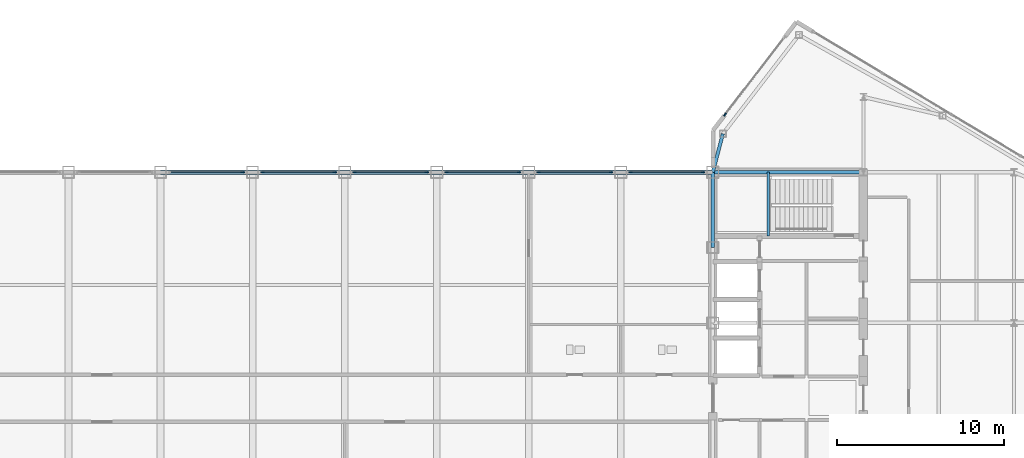
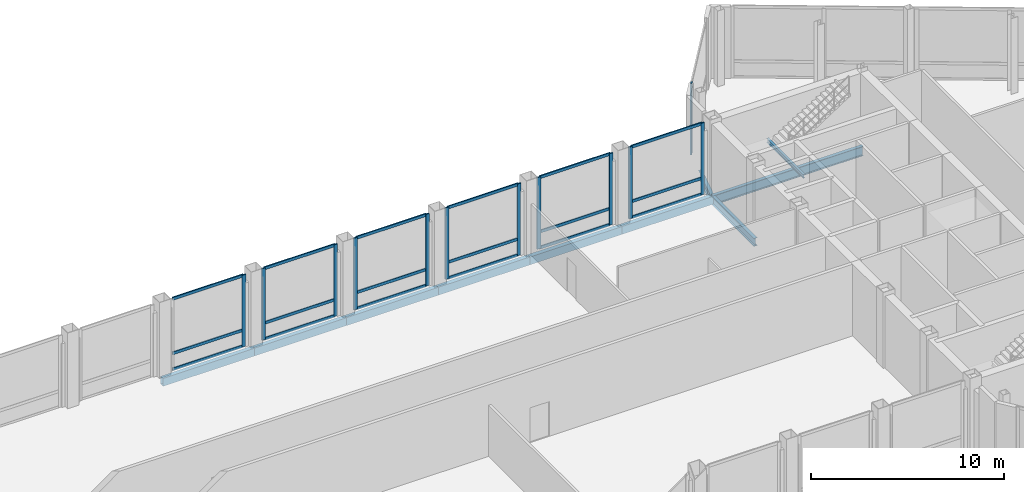
# One storey, part 16 of 29: 30 members, 10 beams, 7 elements without a shape of their own.
"""IFC4 building model written with IfcOpenShell, lengths in metres."""

from ifc_helpers import new_model, si_unit, direction, frame, origin, origin_2d, place, context, subcontext, project, spatial, rectangle, hollow_rectangle, i_section, extrude, source, transform, mapped, material, layer, layer_set, material_profile, profile_set, type_object, type_shapes, element, aggregate, save


model = new_model("IFC4")

# Units and contexts
model_context = context("Model", 3, precision=1e-05, world=origin(), true_north=direction((0.0, 1.0)))
body_context = subcontext(model_context, "Body", "Model", "MODEL_VIEW")
ifc_project = project(units=[si_unit("LENGTHUNIT", "METRE"), si_unit("AREAUNIT", "SQUARE_METRE"), si_unit("VOLUMEUNIT", "CUBIC_METRE"), si_unit("PLANEANGLEUNIT", "RADIAN"), si_unit("MASSUNIT", "GRAM", prefix="KILO")], contexts=[model_context])

# Site, building, storey
site_placement = place(None, origin())
site = spatial("IfcSite", under=ifc_project, at=site_placement, CompositionType="ELEMENT")
building_placement = place(site_placement, origin())
building = spatial("IfcBuilding", under=site, at=building_placement, Name="Seokmaru Belvedere", CompositionType="ELEMENT")
storey_placement = place(building_placement, frame((0.0, 0.0, 269.39990234375)))
storey = spatial("IfcBuildingStorey", under=building, at=storey_placement, Name="L71", CompositionType="ELEMENT", Elevation=269.39990234375)

# Beams
ifc_material_1 = material(Name="Steel SM355 (355 MPa)", Category="steel")
ifc_material_profile_1 = material_profile(ifc_material_1, i_section(OverallWidth=0.199951171875, OverallDepth=0.5, WebThickness=0.010009765625, FlangeThickness=0.01611328125, at=origin_2d()), Name="H-500x200x10x16")
ifc_profile_set_1 = profile_set([ifc_material_profile_1], Name="Steel SM355 (355 MPa)")
beam_type_1 = type_object("IfcBeamType", Name="Perimeter Spandrel Beam H-500", PredefinedType="SPANDREL", material=ifc_profile_set_1)
shared_shape_1 = source(origin(), body_context, "Body", "SweptSolid", [
    extrude(i_section(OverallWidth=0.199951171875, OverallDepth=0.5, WebThickness=0.010009765625, FlangeThickness=0.01611328125, at=origin_2d()), origin(), (0.0, 0.0, 1.0), 4.5),
])
beam_1_placement = place(storey_placement, frame((27.5, 9.0, -0.510009765625), z_axis=(0.0, 1.0, 0.0), x_axis=(-1.0, 0.0, 0.0)))
element("IfcBeam", 1, at=beam_1_placement, inside=storey, type_object=beam_type_1, Name="L71 E Portal Spine Spandrel 5", PredefinedType="SPANDREL", context=body_context, shape_type="MappedRepresentation", body=[
    mapped(shared_shape_1, transform((0.0, 0.0, 0.0), scale=1.0)),
])
ifc_material_profile_2 = material_profile(ifc_material_1, i_section(OverallWidth=0.199951171875, OverallDepth=0.60009765625, WebThickness=0.010986328125, FlangeThickness=0.01708984375, at=origin_2d()), Name="H-600x200x11x17")
ifc_profile_set_2 = profile_set([ifc_material_profile_2], Name="Steel SM355 (355 MPa)")
beam_type_2 = type_object("IfcBeamType", Name="Primary Floor Girder H-600", PredefinedType="BEAM", material=ifc_profile_set_2)
shared_shape_2 = source(origin(), body_context, "Body", "SweptSolid", [
    extrude(i_section(OverallWidth=0.199951171875, OverallDepth=0.60009765625, WebThickness=0.010986328125, FlangeThickness=0.01708984375, at=origin_2d()), origin(), (0.0, 0.0, 1.0), 9.0),
])
type_shapes(beam_type_2, [shared_shape_2])
beam_2_placement = place(storey_placement, frame((27.5, 13.5, -0.559814453125), z_axis=(1.0, 0.0, 0.0), x_axis=(0.0, 1.0, 0.0)))
element("IfcBeam", 2, at=beam_2_placement, inside=storey, type_object=beam_type_2, Name="L71 E Core Tie Girder 4", PredefinedType="BEAM", context=body_context, shape_type="MappedRepresentation", body=[
    mapped(shared_shape_2, transform((0.0, 0.0, 0.0), scale=1.0)),
])
shared_shape_3 = source(origin(), body_context, "Body", "SweptSolid", [
    extrude(i_section(OverallWidth=0.199951171875, OverallDepth=0.5, WebThickness=0.010009765625, FlangeThickness=0.01611328125, at=origin_2d()), origin(), (0.0, 0.0, 1.0), 2.373046875),
])
type_shapes(beam_type_1, [shared_shape_1, shared_shape_3])
beam_3_placement = place(storey_placement, frame((28.10009765625, 15.7958984375, -0.510009765625), z_axis=(-0.252882558842, -0.967496982648, 0.0), x_axis=(0.967496982648, -0.252882558842, 0.0)))
element("IfcBeam", 3, at=beam_3_placement, inside=storey, type_object=beam_type_1, Name="L71 E Shoulder Spine Spandrel N", PredefinedType="SPANDREL", context=body_context, shape_type="MappedRepresentation", body=[
    mapped(shared_shape_3, transform((0.0, 0.0, 0.0), scale=1.0)),
])
ifc_material_profile_3 = material_profile(ifc_material_1, hollow_rectangle(XDim=0.25, YDim=0.5, WallThickness=0.013916015625, at=origin_2d()), Name="RHS-500x250x14")
ifc_profile_set_3 = profile_set([ifc_material_profile_3], Name="Steel SM355 (355 MPa)")
beam_type_3 = type_object("IfcBeamType", Name="Bridge Edge Spandrel RHS-500", PredefinedType="SPANDREL", material=ifc_profile_set_3)
shared_shape_4 = source(origin(), body_context, "Body", "SweptSolid", [
    extrude(hollow_rectangle(XDim=0.25, YDim=0.5, WallThickness=0.013916015625, at=origin_2d()), origin(), (0.0, 0.0, 1.0), 5.5),
])
type_shapes(beam_type_3, [shared_shape_4])
for number, where, z_axis, x_axis, name in (
    (4, (-5.5, 13.5, -0.510009765625), (1.0, 0.0, 0.0), (0.0, 1.0, 0.0), "L71 Sky-Gate Bridge Edge Girder N-05"),
    (5, (0.0, 13.5, -0.510009765625), (1.0, 0.0, 0.0), (0.0, 1.0, 0.0), "L71 Sky-Gate Bridge Edge Girder N-06"),
    (6, (5.5, 13.5, -0.510009765625), (1.0, 0.0, 0.0), (0.0, 1.0, 0.0), "L71 Sky-Gate Bridge Edge Girder N-07"),
    (7, (11.0, 13.5, -0.510009765625), (1.0, 0.0, 0.0), (0.0, 1.0, 0.0), "L71 Sky-Gate Bridge Edge Girder N-08"),
    (8, (16.5, 13.5, -0.510009765625), (1.0, 0.0, 0.0), (0.0, 1.0, 0.0), "L71 Sky-Gate Bridge Edge Girder N-09"),
    (9, (22.0, 13.5, -0.510009765625), (1.0, 0.0, 0.0), (0.0, 1.0, 0.0), "L71 Sky-Gate Bridge Edge Girder N-10"),
):
    element("IfcBeam", number, at=place(storey_placement, frame(where, z_axis=z_axis, x_axis=x_axis)), inside=storey, type_object=beam_type_3, Name=name, PredefinedType="SPANDREL", context=body_context, shape_type="MappedRepresentation", body=[
        mapped(shared_shape_4, transform((0.0, 0.0, 0.0), scale=1.0)),
    ])

# Curtain wall, member
ifc_material_2 = material(Name="Bronze Triple Insulating Glass", Category="glass")
ifc_layer = layer(ifc_material_2, 0.219970703125)
ifc_layer_set = layer_set([ifc_layer], Name="Bronze Triple Insulating Glass")
curtain_wall_type = type_object("IfcCurtainWallType", Name="Sky-Gate Bridge Panorama Curtain Wall System CW-6", PredefinedType="NOTDEFINED", material=ifc_layer_set)
curtain_wall_1_placement = place(storey_placement, origin())
curtain_wall_1 = element("IfcCurtainWall", 10, at=curtain_wall_1_placement, inside=storey, type_object=curtain_wall_type, Name="L71 Curtain Wall EF4", PredefinedType="NOTDEFINED")
ifc_material_3 = material(Name="Anodised Bronze Aluminium", Category="aluminium")
ifc_material_profile_4 = material_profile(ifc_material_3, rectangle(XDim=0.080078125, YDim=0.219970703125, at=origin_2d()), Name="CW-M-80x220")
ifc_profile_set_4 = profile_set([ifc_material_profile_4], Name="Anodised Bronze Aluminium")
member_type_1 = type_object("IfcMemberType", Name="Bronze Unitised Mullion 80x220", PredefinedType="MULLION", material=ifc_profile_set_4)
shared_shape_5 = source(origin(), body_context, "Body", "SweptSolid", [
    extrude(rectangle(XDim=0.080078125, YDim=0.219970703125, at=origin_2d()), origin(), (0.0, 0.0, 1.0), 4.5400390625),
])
type_shapes(member_type_1, [shared_shape_5])
member_1_placement = place(storey_placement, frame((28.2255859375, 16.943115234375, 0.0), z_axis=(0.0, 0.0, 1.0), x_axis=(0.792631353244, -0.609701187349, 0.0)))
member_1 = element("IfcMember", 11, at=member_1_placement, type_object=member_type_1, Name="CW:L71:EF4 Mullion 2", PredefinedType="MULLION", context=body_context, shape_type="MappedRepresentation", body=[
    mapped(shared_shape_5, transform((0.0, 0.0, 0.0), scale=1.0)),
])
aggregate(curtain_wall_1, [member_1])

curtain_wall_2_placement = place(storey_placement, origin())
curtain_wall_2 = element("IfcCurtainWall", 12, at=curtain_wall_2_placement, inside=storey, type_object=curtain_wall_type, Name="L71 Curtain Wall BR_N05", PredefinedType="NOTDEFINED")
member_2_placement = place(storey_placement, frame((-0.590087890625, 13.5, 0.0), z_axis=(0.0, 0.0, 1.0), x_axis=(0.0, -1.0, 0.0)))
member_2 = element("IfcMember", 13, at=member_2_placement, type_object=member_type_1, Name="CW:L71:BR_N05 Mullion 1", PredefinedType="MULLION", context=body_context, shape_type="MappedRepresentation", body=[
    mapped(shared_shape_5, transform((0.0, 0.0, 0.0), scale=1.0)),
])

# Curtain wall, members
curtain_wall_3_placement = place(storey_placement, origin())
curtain_wall_3 = element("IfcCurtainWall", 14, at=curtain_wall_3_placement, inside=storey, type_object=curtain_wall_type, Name="L71 Curtain Wall BR_N06", PredefinedType="NOTDEFINED")
member_3_placement = place(storey_placement, frame((4.909912109375, 13.5, 0.0), z_axis=(0.0, 0.0, 1.0), x_axis=(0.0, -1.0, 0.0)))
member_3 = element("IfcMember", 15, at=member_3_placement, type_object=member_type_1, Name="CW:L71:BR_N06 Mullion 1", PredefinedType="MULLION", context=body_context, shape_type="MappedRepresentation", body=[
    mapped(shared_shape_5, transform((0.0, 0.0, 0.0), scale=1.0)),
])
member_4_placement = place(storey_placement, frame((0.590087890625, 13.5, 0.0), z_axis=(0.0, 0.0, 1.0), x_axis=(0.0, -1.0, 0.0)))
member_4 = element("IfcMember", 16, at=member_4_placement, type_object=member_type_1, Name="CW:L71:BR_N06 Mullion 2", PredefinedType="MULLION", context=body_context, shape_type="MappedRepresentation", body=[
    mapped(shared_shape_5, transform((0.0, 0.0, 0.0), scale=1.0)),
])

curtain_wall_4_placement = place(storey_placement, origin())
curtain_wall_4 = element("IfcCurtainWall", 17, at=curtain_wall_4_placement, inside=storey, type_object=curtain_wall_type, Name="L71 Curtain Wall BR_N07", PredefinedType="NOTDEFINED")
member_5_placement = place(storey_placement, frame((10.409912109375, 13.5, 0.0), z_axis=(0.0, 0.0, 1.0), x_axis=(0.0, -1.0, 0.0)))
member_5 = element("IfcMember", 18, at=member_5_placement, type_object=member_type_1, Name="CW:L71:BR_N07 Mullion 1", PredefinedType="MULLION", context=body_context, shape_type="MappedRepresentation", body=[
    mapped(shared_shape_5, transform((0.0, 0.0, 0.0), scale=1.0)),
])
member_6_placement = place(storey_placement, frame((6.090087890625, 13.5, 0.0), z_axis=(0.0, 0.0, 1.0), x_axis=(0.0, -1.0, 0.0)))
member_6 = element("IfcMember", 19, at=member_6_placement, type_object=member_type_1, Name="CW:L71:BR_N07 Mullion 2", PredefinedType="MULLION", context=body_context, shape_type="MappedRepresentation", body=[
    mapped(shared_shape_5, transform((0.0, 0.0, 0.0), scale=1.0)),
])

curtain_wall_5_placement = place(storey_placement, origin())
curtain_wall_5 = element("IfcCurtainWall", 20, at=curtain_wall_5_placement, inside=storey, type_object=curtain_wall_type, Name="L71 Curtain Wall BR_N08", PredefinedType="NOTDEFINED")
member_7_placement = place(storey_placement, frame((15.909912109375, 13.5, 0.0), z_axis=(0.0, 0.0, 1.0), x_axis=(0.0, -1.0, 0.0)))
member_7 = element("IfcMember", 21, at=member_7_placement, type_object=member_type_1, Name="CW:L71:BR_N08 Mullion 1", PredefinedType="MULLION", context=body_context, shape_type="MappedRepresentation", body=[
    mapped(shared_shape_5, transform((0.0, 0.0, 0.0), scale=1.0)),
])
member_8_placement = place(storey_placement, frame((11.590087890625, 13.5, 0.0), z_axis=(0.0, 0.0, 1.0), x_axis=(0.0, -1.0, 0.0)))
member_8 = element("IfcMember", 22, at=member_8_placement, type_object=member_type_1, Name="CW:L71:BR_N08 Mullion 2", PredefinedType="MULLION", context=body_context, shape_type="MappedRepresentation", body=[
    mapped(shared_shape_5, transform((0.0, 0.0, 0.0), scale=1.0)),
])

curtain_wall_6_placement = place(storey_placement, origin())
curtain_wall_6 = element("IfcCurtainWall", 23, at=curtain_wall_6_placement, inside=storey, type_object=curtain_wall_type, Name="L71 Curtain Wall BR_N09", PredefinedType="NOTDEFINED")
member_9_placement = place(storey_placement, frame((21.409912109375, 13.5, 0.0), z_axis=(0.0, 0.0, 1.0), x_axis=(0.0, -1.0, 0.0)))
member_9 = element("IfcMember", 24, at=member_9_placement, type_object=member_type_1, Name="CW:L71:BR_N09 Mullion 1", PredefinedType="MULLION", context=body_context, shape_type="MappedRepresentation", body=[
    mapped(shared_shape_5, transform((0.0, 0.0, 0.0), scale=1.0)),
])
member_10_placement = place(storey_placement, frame((17.090087890625, 13.5, 0.0), z_axis=(0.0, 0.0, 1.0), x_axis=(0.0, -1.0, 0.0)))
member_10 = element("IfcMember", 25, at=member_10_placement, type_object=member_type_1, Name="CW:L71:BR_N09 Mullion 2", PredefinedType="MULLION", context=body_context, shape_type="MappedRepresentation", body=[
    mapped(shared_shape_5, transform((0.0, 0.0, 0.0), scale=1.0)),
])

curtain_wall_7_placement = place(storey_placement, origin())
curtain_wall_7 = element("IfcCurtainWall", 26, at=curtain_wall_7_placement, inside=storey, type_object=curtain_wall_type, Name="L71 Curtain Wall BR_N10", PredefinedType="NOTDEFINED")
member_11_placement = place(storey_placement, frame((26.909912109375, 13.5, 0.0), z_axis=(0.0, 0.0, 1.0), x_axis=(0.0, -1.0, 0.0)))
member_11 = element("IfcMember", 27, at=member_11_placement, type_object=member_type_1, Name="CW:L71:BR_N10 Mullion 1", PredefinedType="MULLION", context=body_context, shape_type="MappedRepresentation", body=[
    mapped(shared_shape_5, transform((0.0, 0.0, 0.0), scale=1.0)),
])
member_12_placement = place(storey_placement, frame((22.590087890625, 13.5, 0.0), z_axis=(0.0, 0.0, 1.0), x_axis=(0.0, -1.0, 0.0)))
member_12 = element("IfcMember", 28, at=member_12_placement, type_object=member_type_1, Name="CW:L71:BR_N10 Mullion 2", PredefinedType="MULLION", context=body_context, shape_type="MappedRepresentation", body=[
    mapped(shared_shape_5, transform((0.0, 0.0, 0.0), scale=1.0)),
])

# Member
ifc_material_profile_5 = material_profile(ifc_material_3, rectangle(XDim=0.074951171875, YDim=0.179931640625, at=origin_2d()), Name="CW-T-75x180")
ifc_profile_set_5 = profile_set([ifc_material_profile_5], Name="Anodised Bronze Aluminium")
member_type_2 = type_object("IfcMemberType", Name="Bronze Unitised Transom 75x180", PredefinedType="USERDEFINED", material=ifc_profile_set_5)
shared_shape_6 = source(origin(), body_context, "Body", "SweptSolid", [
    extrude(rectangle(XDim=0.074951171875, YDim=0.179931640625, at=origin_2d()), origin(), (0.0, 0.0, 1.0), 4.240234375),
])
type_shapes(member_type_2, [shared_shape_6])
member_13_placement = place(storey_placement, frame((-0.6298828125, 13.5, 0.03759765625), z_axis=(-1.0, 0.0, 0.0), x_axis=(0.0, -1.0, 0.0)))
member_13 = element("IfcMember", 29, at=member_13_placement, type_object=member_type_2, Name="CW:L71:BR_N05 Continuous Transom 1", ObjectType="TRANSOM", PredefinedType="USERDEFINED", context=body_context, shape_type="MappedRepresentation", body=[
    mapped(shared_shape_6, transform((0.0, 0.0, 0.0), scale=1.0)),
])

member_14_placement = place(storey_placement, frame((-0.6298828125, 13.5, 4.502685546875), z_axis=(-1.0, 0.0, 0.0), x_axis=(0.0, -1.0, 0.0)))
member_14 = element("IfcMember", 30, at=member_14_placement, type_object=member_type_2, Name="CW:L71:BR_N05 Continuous Transom 2", ObjectType="TRANSOM", PredefinedType="USERDEFINED", context=body_context, shape_type="MappedRepresentation", body=[
    mapped(shared_shape_6, transform((0.0, 0.0, 0.0), scale=1.0)),
])

member_15_placement = place(storey_placement, frame((-0.6298828125, 13.5, 1.050048828125), z_axis=(-1.0, 0.0, 0.0), x_axis=(0.0, -1.0, 0.0)))
member_15 = element("IfcMember", 31, at=member_15_placement, type_object=member_type_2, Name="CW:L71:BR_N05 Spandrel Transom 1", ObjectType="TRANSOM", PredefinedType="USERDEFINED", context=body_context, shape_type="MappedRepresentation", body=[
    mapped(shared_shape_6, transform((0.0, 0.0, 0.0), scale=1.0)),
])

aggregate(curtain_wall_2, [member_2, member_13, member_14, member_15])

member_16_placement = place(storey_placement, frame((4.8701171875, 13.5, 0.03759765625), z_axis=(-1.0, 0.0, 0.0), x_axis=(0.0, -1.0, 0.0)))
member_16 = element("IfcMember", 32, at=member_16_placement, type_object=member_type_2, Name="CW:L71:BR_N06 Continuous Transom 1", ObjectType="TRANSOM", PredefinedType="USERDEFINED", context=body_context, shape_type="MappedRepresentation", body=[
    mapped(shared_shape_6, transform((0.0, 0.0, 0.0), scale=1.0)),
])

member_17_placement = place(storey_placement, frame((4.8701171875, 13.5, 4.502685546875), z_axis=(-1.0, 0.0, 0.0), x_axis=(0.0, -1.0, 0.0)))
member_17 = element("IfcMember", 33, at=member_17_placement, type_object=member_type_2, Name="CW:L71:BR_N06 Continuous Transom 2", ObjectType="TRANSOM", PredefinedType="USERDEFINED", context=body_context, shape_type="MappedRepresentation", body=[
    mapped(shared_shape_6, transform((0.0, 0.0, 0.0), scale=1.0)),
])

member_18_placement = place(storey_placement, frame((4.8701171875, 13.5, 1.050048828125), z_axis=(-1.0, 0.0, 0.0), x_axis=(0.0, -1.0, 0.0)))
member_18 = element("IfcMember", 34, at=member_18_placement, type_object=member_type_2, Name="CW:L71:BR_N06 Spandrel Transom 1", ObjectType="TRANSOM", PredefinedType="USERDEFINED", context=body_context, shape_type="MappedRepresentation", body=[
    mapped(shared_shape_6, transform((0.0, 0.0, 0.0), scale=1.0)),
])

aggregate(curtain_wall_3, [member_3, member_4, member_16, member_17, member_18])

member_19_placement = place(storey_placement, frame((10.3701171875, 13.5, 0.03759765625), z_axis=(-1.0, 0.0, 0.0), x_axis=(0.0, -1.0, 0.0)))
member_19 = element("IfcMember", 35, at=member_19_placement, type_object=member_type_2, Name="CW:L71:BR_N07 Continuous Transom 1", ObjectType="TRANSOM", PredefinedType="USERDEFINED", context=body_context, shape_type="MappedRepresentation", body=[
    mapped(shared_shape_6, transform((0.0, 0.0, 0.0), scale=1.0)),
])

member_20_placement = place(storey_placement, frame((10.3701171875, 13.5, 4.502685546875), z_axis=(-1.0, 0.0, 0.0), x_axis=(0.0, -1.0, 0.0)))
member_20 = element("IfcMember", 36, at=member_20_placement, type_object=member_type_2, Name="CW:L71:BR_N07 Continuous Transom 2", ObjectType="TRANSOM", PredefinedType="USERDEFINED", context=body_context, shape_type="MappedRepresentation", body=[
    mapped(shared_shape_6, transform((0.0, 0.0, 0.0), scale=1.0)),
])

member_21_placement = place(storey_placement, frame((10.3701171875, 13.5, 1.050048828125), z_axis=(-1.0, 0.0, 0.0), x_axis=(0.0, -1.0, 0.0)))
member_21 = element("IfcMember", 37, at=member_21_placement, type_object=member_type_2, Name="CW:L71:BR_N07 Spandrel Transom 1", ObjectType="TRANSOM", PredefinedType="USERDEFINED", context=body_context, shape_type="MappedRepresentation", body=[
    mapped(shared_shape_6, transform((0.0, 0.0, 0.0), scale=1.0)),
])

aggregate(curtain_wall_4, [member_5, member_6, member_19, member_20, member_21])

member_22_placement = place(storey_placement, frame((15.8701171875, 13.5, 0.03759765625), z_axis=(-1.0, 0.0, 0.0), x_axis=(0.0, -1.0, 0.0)))
member_22 = element("IfcMember", 38, at=member_22_placement, type_object=member_type_2, Name="CW:L71:BR_N08 Continuous Transom 1", ObjectType="TRANSOM", PredefinedType="USERDEFINED", context=body_context, shape_type="MappedRepresentation", body=[
    mapped(shared_shape_6, transform((0.0, 0.0, 0.0), scale=1.0)),
])

member_23_placement = place(storey_placement, frame((15.8701171875, 13.5, 4.502685546875), z_axis=(-1.0, 0.0, 0.0), x_axis=(0.0, -1.0, 0.0)))
member_23 = element("IfcMember", 39, at=member_23_placement, type_object=member_type_2, Name="CW:L71:BR_N08 Continuous Transom 2", ObjectType="TRANSOM", PredefinedType="USERDEFINED", context=body_context, shape_type="MappedRepresentation", body=[
    mapped(shared_shape_6, transform((0.0, 0.0, 0.0), scale=1.0)),
])

member_24_placement = place(storey_placement, frame((15.8701171875, 13.5, 1.050048828125), z_axis=(-1.0, 0.0, 0.0), x_axis=(0.0, -1.0, 0.0)))
member_24 = element("IfcMember", 40, at=member_24_placement, type_object=member_type_2, Name="CW:L71:BR_N08 Spandrel Transom 1", ObjectType="TRANSOM", PredefinedType="USERDEFINED", context=body_context, shape_type="MappedRepresentation", body=[
    mapped(shared_shape_6, transform((0.0, 0.0, 0.0), scale=1.0)),
])

aggregate(curtain_wall_5, [member_7, member_8, member_22, member_23, member_24])

member_25_placement = place(storey_placement, frame((21.3701171875, 13.5, 0.03759765625), z_axis=(-1.0, 0.0, 0.0), x_axis=(0.0, -1.0, 0.0)))
member_25 = element("IfcMember", 41, at=member_25_placement, type_object=member_type_2, Name="CW:L71:BR_N09 Continuous Transom 1", ObjectType="TRANSOM", PredefinedType="USERDEFINED", context=body_context, shape_type="MappedRepresentation", body=[
    mapped(shared_shape_6, transform((0.0, 0.0, 0.0), scale=1.0)),
])

member_26_placement = place(storey_placement, frame((21.3701171875, 13.5, 4.502685546875), z_axis=(-1.0, 0.0, 0.0), x_axis=(0.0, -1.0, 0.0)))
member_26 = element("IfcMember", 42, at=member_26_placement, type_object=member_type_2, Name="CW:L71:BR_N09 Continuous Transom 2", ObjectType="TRANSOM", PredefinedType="USERDEFINED", context=body_context, shape_type="MappedRepresentation", body=[
    mapped(shared_shape_6, transform((0.0, 0.0, 0.0), scale=1.0)),
])

member_27_placement = place(storey_placement, frame((21.3701171875, 13.5, 1.050048828125), z_axis=(-1.0, 0.0, 0.0), x_axis=(0.0, -1.0, 0.0)))
member_27 = element("IfcMember", 43, at=member_27_placement, type_object=member_type_2, Name="CW:L71:BR_N09 Spandrel Transom 1", ObjectType="TRANSOM", PredefinedType="USERDEFINED", context=body_context, shape_type="MappedRepresentation", body=[
    mapped(shared_shape_6, transform((0.0, 0.0, 0.0), scale=1.0)),
])

aggregate(curtain_wall_6, [member_9, member_10, member_25, member_26, member_27])

member_28_placement = place(storey_placement, frame((26.8701171875, 13.5, 0.03759765625), z_axis=(-1.0, 0.0, 0.0), x_axis=(0.0, -1.0, 0.0)))
member_28 = element("IfcMember", 44, at=member_28_placement, type_object=member_type_2, Name="CW:L71:BR_N10 Continuous Transom 1", ObjectType="TRANSOM", PredefinedType="USERDEFINED", context=body_context, shape_type="MappedRepresentation", body=[
    mapped(shared_shape_6, transform((0.0, 0.0, 0.0), scale=1.0)),
])

member_29_placement = place(storey_placement, frame((26.8701171875, 13.5, 4.502685546875), z_axis=(-1.0, 0.0, 0.0), x_axis=(0.0, -1.0, 0.0)))
member_29 = element("IfcMember", 45, at=member_29_placement, type_object=member_type_2, Name="CW:L71:BR_N10 Continuous Transom 2", ObjectType="TRANSOM", PredefinedType="USERDEFINED", context=body_context, shape_type="MappedRepresentation", body=[
    mapped(shared_shape_6, transform((0.0, 0.0, 0.0), scale=1.0)),
])

member_30_placement = place(storey_placement, frame((26.8701171875, 13.5, 1.050048828125), z_axis=(-1.0, 0.0, 0.0), x_axis=(0.0, -1.0, 0.0)))
member_30 = element("IfcMember", 46, at=member_30_placement, type_object=member_type_2, Name="CW:L71:BR_N10 Spandrel Transom 1", ObjectType="TRANSOM", PredefinedType="USERDEFINED", context=body_context, shape_type="MappedRepresentation", body=[
    mapped(shared_shape_6, transform((0.0, 0.0, 0.0), scale=1.0)),
])

aggregate(curtain_wall_7, [member_11, member_12, member_28, member_29, member_30])

# Beam
ifc_material_profile_6 = material_profile(ifc_material_1, i_section(OverallWidth=0.125, OverallDepth=0.25, WebThickness=0.006103515625, FlangeThickness=0.009033203125, at=origin_2d()), Name="H-250x125x6x9")
ifc_profile_set_6 = profile_set([ifc_material_profile_6], Name="Steel SM355 (355 MPa)")
beam_type_4 = type_object("IfcBeamType", Name="Stair Mid-Landing Support Beam H-250", PredefinedType="JOIST", material=ifc_profile_set_6)
shared_shape_7 = source(origin(), body_context, "Body", "SweptSolid", [
    extrude(i_section(OverallWidth=0.125, OverallDepth=0.25, WebThickness=0.006103515625, FlangeThickness=0.009033203125, at=origin_2d()), origin(), (0.0, 0.0, 1.0), 3.800048828125),
])
type_shapes(beam_type_4, [shared_shape_7])
beam_4_placement = place(storey_placement, frame((30.81005859375, 9.699951171875, 2.0751953125), z_axis=(0.0, 1.0, 0.0), x_axis=(-1.0, 0.0, 0.0)))
element("IfcBeam", 47, at=beam_4_placement, inside=storey, type_object=beam_type_4, Name="L71 Stair ST-E2 Mid-Landing Support Beam 1", PredefinedType="JOIST", context=body_context, shape_type="MappedRepresentation", body=[
    mapped(shared_shape_7, transform((0.0, 0.0, 0.0), scale=1.0)),
])

save(model, "model.ifc")
